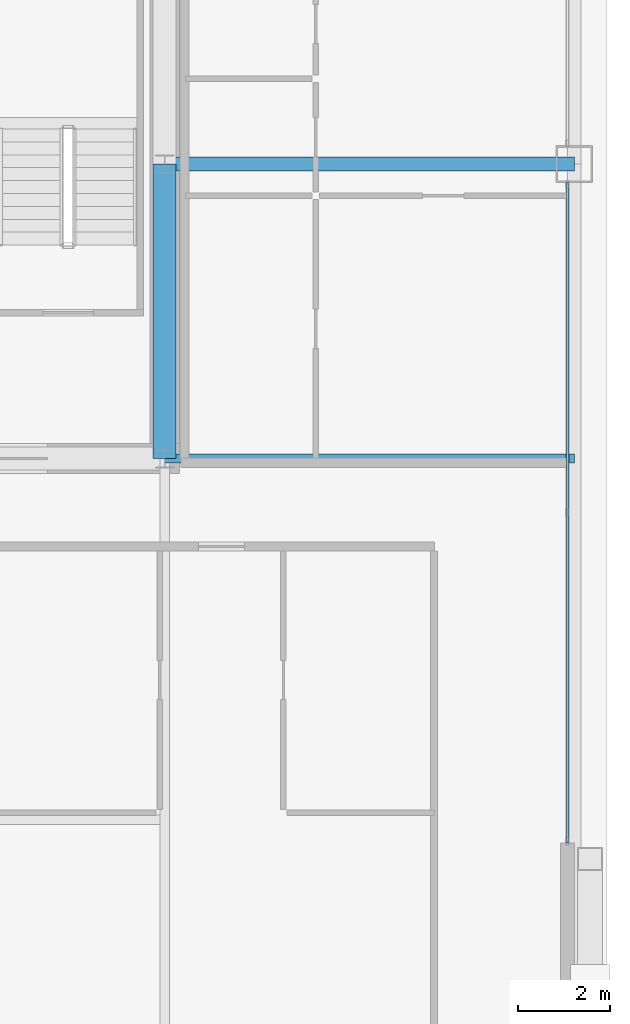
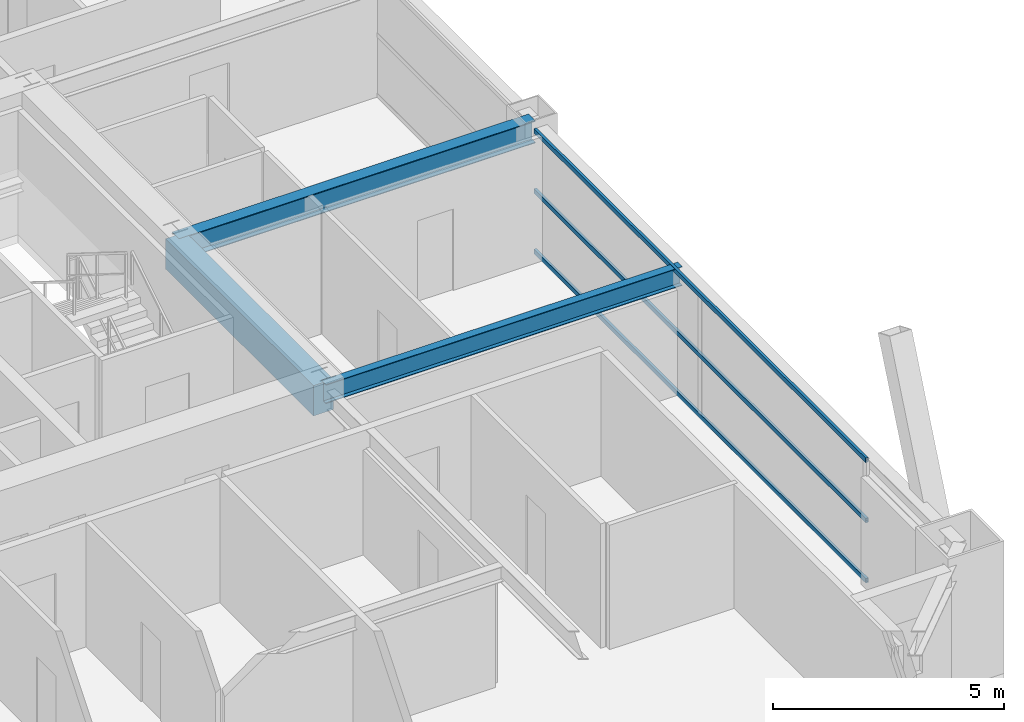
# One storey, part 22 of 42: 3 beams, 3 members, 1 element without a shape of its own.
"""IFC4 building model written with IfcOpenShell, lengths in metres."""

from ifc_helpers import new_model, si_unit, direction, frame, origin, origin_2d, place, context, subcontext, project, spatial, rectangle, hollow_rectangle, i_section, extrude, source, transform, mapped, material, layer, layer_set, material_profile, profile_set, type_object, element, aggregate, save


model = new_model("IFC4")

# Units and contexts
model_context = context("Model", 3, precision=1e-05, world=origin(), true_north=direction((0.0, 1.0)))
body_context = subcontext(model_context, "Body", "Model", "MODEL_VIEW")
ifc_project = project(units=[si_unit("LENGTHUNIT", "METRE"), si_unit("AREAUNIT", "SQUARE_METRE"), si_unit("VOLUMEUNIT", "CUBIC_METRE"), si_unit("PLANEANGLEUNIT", "RADIAN"), si_unit("MASSUNIT", "GRAM", prefix="KILO"), si_unit("THERMODYNAMICTEMPERATUREUNIT", "KELVIN"), si_unit("POWERUNIT", "WATT")], contexts=[model_context])

# Site, building, storey
site_placement = place(None, origin())
site = spatial("IfcSite", under=ifc_project, at=site_placement, CompositionType="ELEMENT")
building_placement = place(site_placement, origin())
building = spatial("IfcBuilding", under=site, at=building_placement, Name="Yuzanri Waterfront Tower", CompositionType="ELEMENT")
storey_placement = place(building_placement, frame((0.0, 0.0, 184.5)))
storey = spatial("IfcBuildingStorey", under=building, at=storey_placement, Name="L48", CompositionType="ELEMENT", Elevation=184.5)

# Beams
ifc_material_1 = material(Name="Steel Q355B", Category="steel")
ifc_material_profile_1 = material_profile(ifc_material_1, i_section(OverallWidth=0.300048828125, OverallDepth=0.587890625, WebThickness=0.011962890625, FlangeThickness=0.02001953125, at=origin_2d()), Name="HM 588x300x12x20")
ifc_profile_set_1 = profile_set([ifc_material_profile_1], Name="Steel Q355B")
beam_type_1 = type_object("IfcBeamType", Name="Primary Floor Girder Q355B HM 588x300", PredefinedType="BEAM", material=ifc_profile_set_1)
shared_shape_1 = source(origin(), body_context, "Body", "SweptSolid", [
    extrude(i_section(OverallWidth=0.300048828125, OverallDepth=0.587890625, WebThickness=0.011962890625, FlangeThickness=0.02001953125, at=origin_2d()), origin(), (0.0, 0.0, 1.0), 8.900146484375),
])
beam_1_placement = place(storey_placement, frame((50.199951171875, 25.800048828125, 2.986083984375), z_axis=(1.0, 0.0, 0.0), x_axis=(0.0, 1.0, 0.0)))
element("IfcBeam", 1, at=beam_1_placement, inside=storey, type_object=beam_type_1, Name="L48 East Grid Girder", PredefinedType="BEAM", context=body_context, shape_type="MappedRepresentation", body=[
    mapped(shared_shape_1, transform((0.0, 0.0, 0.0), scale=1.0)),
])
ifc_material_2 = material(Name="Steel Q355B", Category="steel")
ifc_material_profile_2 = material_profile(ifc_material_2, i_section(OverallWidth=0.199951171875, OverallDepth=0.5, WebThickness=0.010009765625, FlangeThickness=0.01611328125, at=origin_2d()), Name="HN 500x200x10x16")
ifc_profile_set_2 = profile_set([ifc_material_profile_2], Name="Steel Q355B")
beam_type_2 = type_object("IfcBeamType", Name="Secondary Floor Beam Q355B HN 500x200", PredefinedType="BEAM", material=ifc_profile_set_2)
shared_shape_2 = source(origin(), body_context, "Body", "SweptSolid", [
    extrude(i_section(OverallWidth=0.199951171875, OverallDepth=0.5, WebThickness=0.010009765625, FlangeThickness=0.01611328125, at=origin_2d()), origin(), (0.0, 0.0, 1.0), 8.900146484375),
])
beam_2_placement = place(storey_placement, frame((50.199951171875, 19.39990234375, 3.030029296875), z_axis=(1.0, 0.0, 0.0), x_axis=(0.0, 1.0, 0.0)))
element("IfcBeam", 2, at=beam_2_placement, inside=storey, type_object=beam_type_2, Name="L48 East-South Core Line Beam", PredefinedType="BEAM", context=body_context, shape_type="MappedRepresentation", body=[
    mapped(shared_shape_2, transform((0.0, 0.0, 0.0), scale=1.0)),
])
ifc_material_3 = material(Name="Concrete C50", Category="concrete")
ifc_material_profile_3 = material_profile(ifc_material_3, rectangle(XDim=0.5, YDim=0.800048828125, at=origin_2d()), Name="RC 500x800")
ifc_profile_set_3 = profile_set([ifc_material_profile_3], Name="Concrete C50")
beam_type_3 = type_object("IfcBeamType", Name="Core Coupling Lintel Concrete C50 500x800", PredefinedType="LINTEL", material=ifc_profile_set_3)
shared_shape_3 = source(origin(), body_context, "Body", "SweptSolid", [
    extrude(rectangle(XDim=0.5, YDim=0.800048828125, at=origin_2d()), origin(), (0.0, 0.0, 1.0), 6.400146484375),
])
beam_3_placement = place(storey_placement, frame((50.199951171875, 19.39990234375, 2.8798828125), z_axis=(0.0, 1.0, 0.0), x_axis=(-1.0, 0.0, 0.0)))
element("IfcBeam", 3, at=beam_3_placement, inside=storey, type_object=beam_type_3, Name="L48 Core Tie Beam CE1", PredefinedType="LINTEL", context=body_context, shape_type="MappedRepresentation", body=[
    mapped(shared_shape_3, transform((0.0, 0.0, 0.0), scale=1.0)),
])

# Curtain wall, members
ifc_material_4 = material(Name="Anodized Architectural Bronze", Category="metal")
ifc_layer = layer(ifc_material_4, 0.159912109375)
ifc_layer_set = layer_set([ifc_layer], Name="Anodized Architectural Bronze")
curtain_wall_type = type_object("IfcCurtainWallType", Name="Anodized Bronze Mid-Rise Residential Acoustic Unitized Curtain Wall 7200", PredefinedType="NOTDEFINED", material=ifc_layer_set)
curtain_wall_placement = place(storey_placement, origin())
curtain_wall = element("IfcCurtainWall", 4, at=curtain_wall_placement, inside=storey, type_object=curtain_wall_type, Name="L48 Curtain Wall CW-L48-EL", PredefinedType="NOTDEFINED")
ifc_material_5 = material(Name="Anodized Architectural Bronze", Category="metal")
ifc_material_profile_4 = material_profile(ifc_material_5, hollow_rectangle(XDim=0.06494140625, YDim=0.1201171875, WallThickness=0.00341796875, at=origin_2d()), Name="CWT 65x120")
ifc_profile_set_4 = profile_set([ifc_material_profile_4], Name="Anodized Architectural Bronze")
member_type = type_object("IfcMemberType", Name="Anodized Bronze Secondary Curtain-Wall Transom 65x120", PredefinedType="USERDEFINED", material=ifc_profile_set_4)
shared_shape_4 = source(origin(), body_context, "Body", "SweptSolid", [
    extrude(hollow_rectangle(XDim=0.06494140625, YDim=0.1201171875, WallThickness=0.00341796875, at=origin_2d()), origin(), (0.0, 0.0, 1.0), 14.349853515625),
])
member_1_placement = place(storey_placement, frame((58.949951171875, 11.050048828125, 0.050048828125), z_axis=(0.0, 1.0, 0.0), x_axis=(-1.0, 0.0, 0.0)))
member_1 = element("IfcMember", 5, at=member_1_placement, type_object=member_type, Name="CW-L48-EL Transom 1", ObjectType="TRANSOM", PredefinedType="USERDEFINED", context=body_context, shape_type="MappedRepresentation", body=[
    mapped(shared_shape_4, transform((0.0, 0.0, 0.0), scale=1.0)),
])
member_2_placement = place(storey_placement, frame((58.949951171875, 11.050048828125, 1.639892578125), z_axis=(0.0, 1.0, 0.0), x_axis=(-1.0, 0.0, 0.0)))
member_2 = element("IfcMember", 6, at=member_2_placement, type_object=member_type, Name="CW-L48-EL Transom 2", ObjectType="TRANSOM", PredefinedType="USERDEFINED", context=body_context, shape_type="MappedRepresentation", body=[
    mapped(shared_shape_4, transform((0.0, 0.0, 0.0), scale=1.0)),
])
member_3_placement = place(storey_placement, frame((58.949951171875, 11.050048828125, 3.22998046875), z_axis=(0.0, 1.0, 0.0), x_axis=(-1.0, 0.0, 0.0)))
member_3 = element("IfcMember", 7, at=member_3_placement, type_object=member_type, Name="CW-L48-EL Transom 3", ObjectType="TRANSOM", PredefinedType="USERDEFINED", context=body_context, shape_type="MappedRepresentation", body=[
    mapped(shared_shape_4, transform((0.0, 0.0, 0.0), scale=1.0)),
])
aggregate(curtain_wall, [member_1, member_2, member_3])

save(model, "model.ifc")
